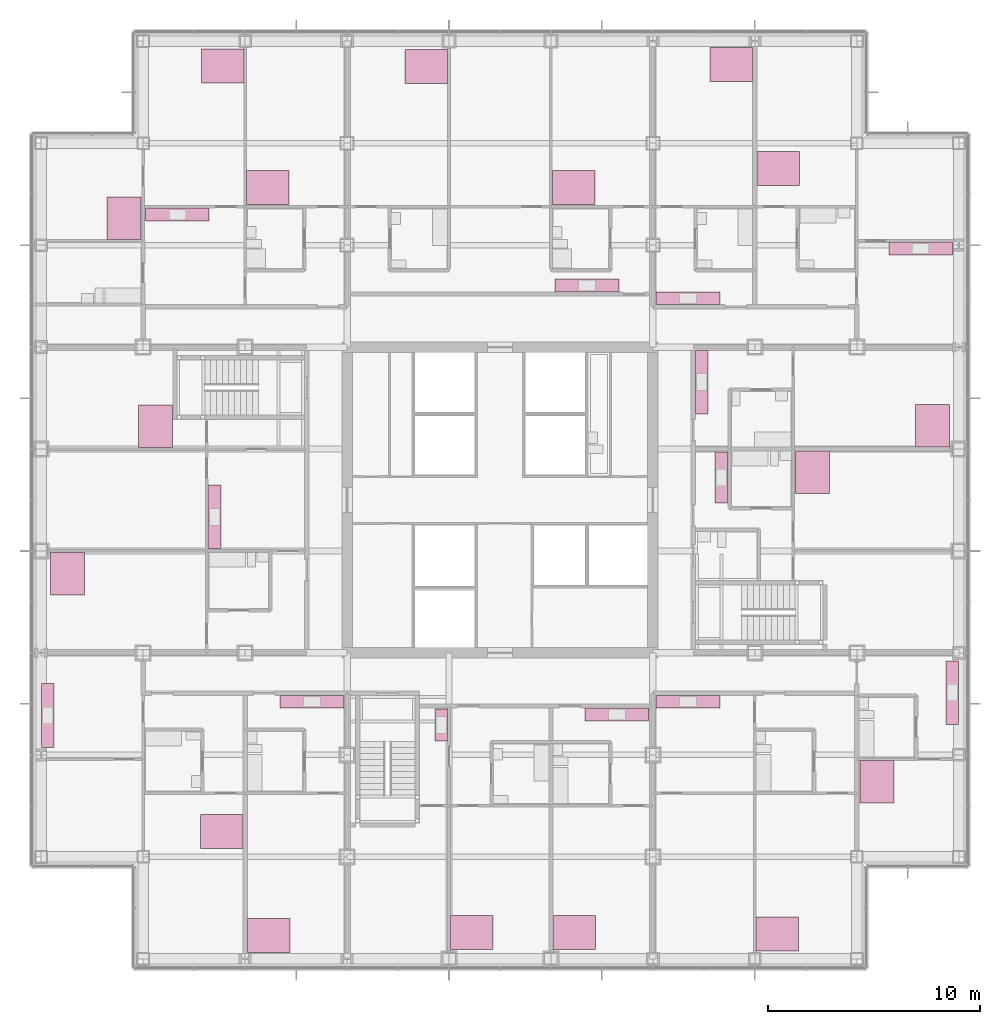
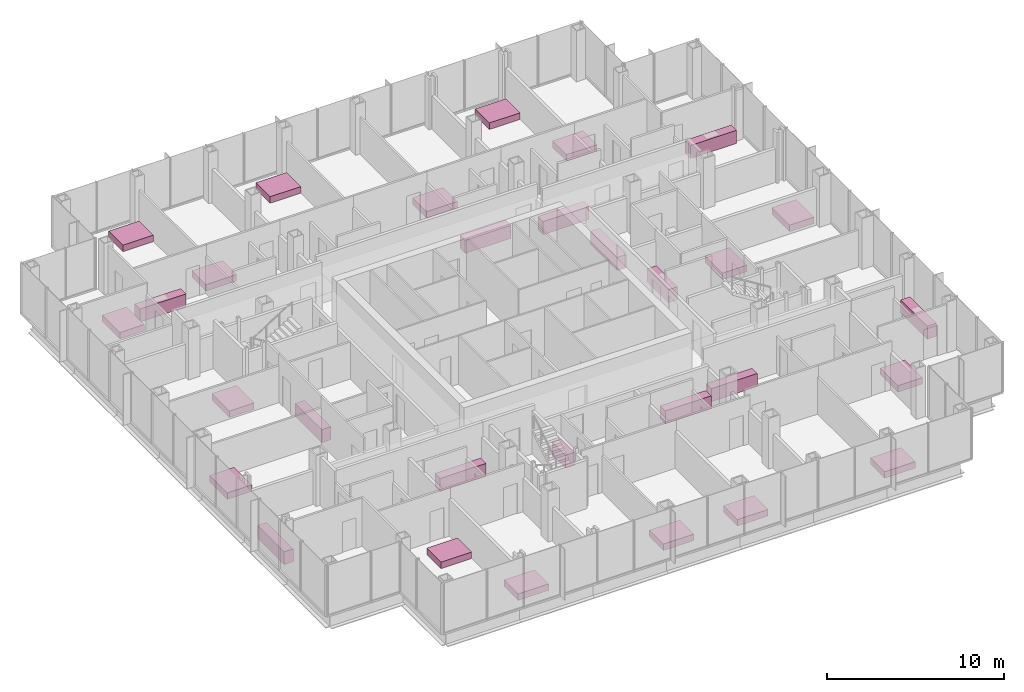
# One storey, part 21 of 21: 30 furniture elements.
"""IFC4 building model written with IfcOpenShell, lengths in metres."""

import ifcopenshell
import ifcopenshell.guid

model = None  # the IFC model being written
_history = None  # IfcOwnerHistory: only IFC2X3 demands one
_inside = {}  # id of a spatial element -> (the spatial element, [elements in it])
_under = {}  # id of a project, library or spatial element -> (it, [spatial elements below it])
_declared = {}  # id of a project -> (the project, [libraries it declares])
_typed = {}  # id of a type object -> (the type object, [elements of that type])
_made_of = {}  # id of a material, layer set ... -> (it, [elements and type objects made of it])


def new_model(schema):
    """Start an empty IFC model of exactly this schema.

    Asked for "IFC4X3", IfcOpenShell would pick the latest addendum, in which some entities
    have other attributes; the version numbers below select the first issue.
    IFC2X3 requires an IfcOwnerHistory on every rooted entity: one is made here for all.
    """
    global model, _history
    if schema == "IFC4X3":
        model = ifcopenshell.file(schema_version=(4, 3, 0, 0))
    else:
        model = ifcopenshell.file(schema=schema)
    _inside.clear()
    _under.clear()
    _declared.clear()
    _typed.clear()
    _made_of.clear()
    _history = None
    if model.schema == "IFC2X3":
        org = make("IfcOrganization", Name="unknown")
        user = make(
            "IfcPersonAndOrganization",
            ThePerson=make("IfcPerson", FamilyName="unknown"),
            TheOrganization=org,
        )
        app = make(
            "IfcApplication",
            ApplicationDeveloper=org,
            Version="unknown",
            ApplicationFullName="unknown",
            ApplicationIdentifier="unknown",
        )
        _history = make(
            "IfcOwnerHistory",
            OwningUser=user,
            OwningApplication=app,
            ChangeAction="ADDED",
            CreationDate=0,
        )
    return model


def make(cls, **values):
    """One entity of the class cls with the attributes given. An attribute that is None is left unset."""
    return model.create_entity(
        cls, **{name: value for name, value in values.items() if value is not None}
    )


def rooted(cls, **values):
    """An entity with a GlobalId (a new one), such as an element, a storey or a relation."""
    return make(cls, GlobalId=ifcopenshell.guid.new(), OwnerHistory=_history, **values)


def si_unit(unit_type, name, prefix=None):
    """IfcSIUnit, for example si_unit("LENGTHUNIT", "METRE", prefix="MILLI")."""
    return make("IfcSIUnit", UnitType=unit_type, Prefix=prefix, Name=name)


def assignment(units):
    """IfcUnitAssignment: the units of a project."""
    return None if units is None else make("IfcUnitAssignment", Units=units)


def point(xyz):
    """IfcCartesianPoint."""
    return None if xyz is None else make("IfcCartesianPoint", Coordinates=xyz)


def direction(xyz):
    """IfcDirection."""
    return None if xyz is None else make("IfcDirection", DirectionRatios=xyz)


def frame(location, z_axis=None, x_axis=None):
    """IfcAxis2Placement3D, a coordinate frame: its origin and axes. An axis left out is left unset."""
    return make(
        "IfcAxis2Placement3D",
        Location=point(location),
        Axis=direction(z_axis),
        RefDirection=direction(x_axis),
    )


def frame_2d(location, x_axis=None):
    """IfcAxis2Placement2D, a coordinate frame in the plane: its origin and x axis."""
    return make(
        "IfcAxis2Placement2D", Location=point(location), RefDirection=direction(x_axis)
    )


def origin():
    """The frame at (0, 0, 0) with its axes left unset."""
    return frame((0.0, 0.0, 0.0))


def origin_2d():
    """The frame at (0, 0) in the plane with its x axis left unset."""
    return frame_2d((0.0, 0.0))


def place(relative_to, where):
    """IfcLocalPlacement: puts the frame where relative to a parent placement (None: the world)."""
    return make(
        "IfcLocalPlacement", PlacementRelTo=relative_to, RelativePlacement=where
    )


def context(
    kind, dimensions, precision=None, world=None, true_north=None, identifier=None
):
    """IfcGeometricRepresentationContext, for example the 3D "Model" context."""
    return make(
        "IfcGeometricRepresentationContext",
        ContextIdentifier=identifier,
        ContextType=kind,
        CoordinateSpaceDimension=dimensions,
        Precision=precision,
        WorldCoordinateSystem=world,
        TrueNorth=true_north,
    )


def subcontext(parent, identifier, kind, view, scale=None):
    """IfcGeometricRepresentationSubContext, for example "Body" below "Model"."""
    return make(
        "IfcGeometricRepresentationSubContext",
        ContextIdentifier=identifier,
        ContextType=kind,
        ParentContext=parent,
        TargetScale=scale,
        TargetView=view,
    )


def project(units=None, contexts=None):
    """IfcProject with its units and contexts."""
    return rooted(
        "IfcProject",
        Name="project",
        RepresentationContexts=contexts,
        UnitsInContext=assignment(units),
    )


def spatial(cls, under=None, at=None, **own):
    """A site, building, storey or space (cls), placed at a placement, below another one or the project."""
    s = rooted(cls, ObjectPlacement=at, **own)
    if under is not None:
        _under.setdefault(under.id(), (under, []))[1].append(s)
    return s


def profile(cls, at=None, kind="AREA", **sizes):
    """A parametric profile (cls). Its sizes go by their IFC names, for example OverallWidth=200.0."""
    return make(cls, ProfileType=kind, Position=at, **sizes)


def rectangle(**sizes):
    """IfcRectangleProfileDef."""
    return profile("IfcRectangleProfileDef", **sizes)


def extrude(swept, where, along, depth):
    """IfcExtrudedAreaSolid: the profile swept, set in the frame where, extruded along a direction by depth."""
    return make(
        "IfcExtrudedAreaSolid",
        SweptArea=swept,
        Position=where,
        ExtrudedDirection=direction(along),
        Depth=depth,
    )


def shape(context_of_items, identifier, shape_type, items):
    """IfcShapeRepresentation: the items that make up one representation, for example the "Body"."""
    return make(
        "IfcShapeRepresentation",
        ContextOfItems=context_of_items,
        RepresentationIdentifier=identifier,
        RepresentationType=shape_type,
        Items=items,
    )


def material(Name=None, Category=None):
    """IfcMaterial."""
    return make("IfcMaterial", Name=Name, Category=Category)


def made_of(thing, what):
    """Note that an element or type object is made of a material, layer set ...; save() writes the relation."""
    if what is not None:
        _made_of.setdefault(what.id(), (what, []))[1].append(thing)
    return thing


def type_object(cls, material=None, **own):
    """A type object (cls), such as IfcWallType, which elements share."""
    return made_of(rooted(cls, **own), material)


def element(
    cls,
    number,
    at=None,
    inside=None,
    cuts=None,
    type_object=None,
    material=None,
    context=None,
    identifier="Body",
    shape_type=None,
    held_by="IfcProductDefinitionShape",
    body=None,
    shapes=None,
    **own,
):
    """One element of the class cls, such as IfcWall. Its Tag is "e" and its number.

    at: its placement. inside: the storey or other place that contains it. cuts: it is an
    opening in that element (IfcRelVoidsElement). A single representation is given by context,
    identifier, shape_type and body (its items); several are given by shapes. held_by: the class
    of the entity that holds the representations. save() writes the other relations.
    """
    e = rooted(cls, Tag="e%d" % number, ObjectPlacement=at, **own)
    if body is not None:
        shapes = [shape(context, identifier, shape_type, body)]
    if shapes is not None:
        e.Representation = make(held_by, Representations=shapes)
    if inside is not None:
        _inside.setdefault(inside.id(), (inside, []))[1].append(e)
    if cuts is not None:
        rooted(
            "IfcRelVoidsElement", RelatingBuildingElement=cuts, RelatedOpeningElement=e
        )
    if type_object is not None:
        _typed.setdefault(type_object.id(), (type_object, []))[1].append(e)
    return made_of(e, material)


def aggregate(whole, parts):
    """IfcRelAggregates: a whole, such as a stair, and the parts it consists of."""
    return rooted("IfcRelAggregates", RelatingObject=whole, RelatedObjects=parts)


def save(model, path):
    """Write the relations noted so far, then the file.

    IfcRelAggregates (storeys below a building ...), IfcRelContainedInSpatialStructure (elements
    in a storey), IfcRelDefinesByType, IfcRelAssociatesMaterial and IfcRelDeclares: one each for
    every whole, place, type object, material and project.
    """
    for whole, parts in _under.values():
        aggregate(whole, parts)
    for where, things in _inside.values():
        rooted(
            "IfcRelContainedInSpatialStructure",
            RelatedElements=things,
            RelatingStructure=where,
        )
    for kind, things in _typed.values():
        rooted("IfcRelDefinesByType", RelatedObjects=things, RelatingType=kind)
    for what, things in _made_of.values():
        rooted("IfcRelAssociatesMaterial", RelatedObjects=things, RelatingMaterial=what)
    for by, libraries in _declared.values():
        rooted("IfcRelDeclares", RelatingContext=by, RelatedDefinitions=libraries)
    model.write(path)


model = new_model("IFC4")

# Units and contexts
model_context = context("Model", 3, precision=1e-05, world=origin(), true_north=direction((0.0, 1.0)))
body_context = subcontext(model_context, "Body", "Model", "MODEL_VIEW")
ifc_project = project(units=[si_unit("LENGTHUNIT", "METRE"), si_unit("AREAUNIT", "SQUARE_METRE"), si_unit("VOLUMEUNIT", "CUBIC_METRE"), si_unit("PLANEANGLEUNIT", "RADIAN"), si_unit("MASSUNIT", "GRAM", prefix="KILO")], contexts=[model_context])

# Site, building, storey
site_placement = place(None, origin())
site = spatial("IfcSite", under=ifc_project, at=site_placement, CompositionType="ELEMENT")
building_placement = place(site_placement, origin())
building = spatial("IfcBuilding", under=site, at=building_placement, Name="Kvirike Care Tower", CompositionType="ELEMENT")
storey_placement = place(building_placement, frame((0.0, 0.0, 41.0)))
storey = spatial("IfcBuildingStorey", under=building, at=storey_placement, Name="L10", CompositionType="ELEMENT", Elevation=41.0)

# Furniture
ifc_material_1 = material(Name="Timber", Category="wood")
furniture_type_1 = type_object("IfcFurnitureType", Name="DOUBLE BED 1600 x 2000", AssemblyPlace="FACTORY", PredefinedType="BED", material=ifc_material_1)
for number, where, z_axis, x_axis, name in (
    (1, (8.498046875, 20.389892578125, 0.0), (0.0, 0.0, 1.0), (0.0, -1.0, 0.0), "Double bed L10-003"),
    (2, (10.701904296875, 15.4970703125, 0.0), (0.0, 0.0, 1.0), (0.0, 1.0, 0.0), "Double bed L10-007"),
    (3, (5.389892578125, 39.4619140625, 0.0), (0.0, 0.0, 1.0), (-1.0, 0.0, 0.0), "Double bed L10-012"),
    (4, (1.2451171875, 32.5380859375, 0.0), (0.0, 0.0, 1.0), (1.0, 0.0, 0.0), "Double bed L10-014"),
    (5, (10.662109375, 50.7099609375, 0.0), (0.0, 0.0, 1.0), (0.0, 1.0, 0.0), "Double bed L10-020"),
    (6, (8.5380859375, 56.429931640625, 0.0), (0.0, 0.0, 1.0), (0.0, -1.0, 0.0), "Double bed L10-021"),
    (7, (3.889892578125, 49.261962890625, 0.0), (0.0, 0.0, 1.0), (-1.0, 0.0, 0.0), "Double bed L10-022"),
    (8, (20.261962890625, 15.64501953125, 0.0), (0.0, 0.0, 1.0), (0.0, 1.0, 0.0), "Double bed L10-030"),
    (9, (25.10205078125, 15.64501953125, 0.0), (0.0, 0.0, 1.0), (0.0, 1.0, 0.0), "Double bed L10-034"),
    (10, (25.06201171875, 50.7099609375, 0.0), (0.0, 0.0, 1.0), (0.0, 1.0, 0.0), "Double bed L10-038"),
    (11, (18.137939453125, 56.405029296875, 0.0), (0.0, 0.0, 1.0), (0.0, -1.0, 0.0), "Double bed L10-040"),
    (12, (34.662109375, 15.570068359375, 0.0), (0.0, 0.0, 1.0), (0.0, 1.0, 0.0), "Double bed L10-046"),
    (13, (39.35009765625, 22.738037109375, 0.0), (0.0, 0.0, 1.0), (1.0, 0.0, 0.0), "Double bed L10-050"),
    (14, (36.31005859375, 37.298095703125, 0.0), (0.0, 0.0, 1.0), (1.0, 0.0, 0.0), "Double bed L10-056"),
    (15, (41.955078125, 39.501953125, 0.0), (0.0, 0.0, 1.0), (-1.0, 0.0, 0.0), "Double bed L10-060"),
    (16, (34.701904296875, 51.610107421875, 0.0), (0.0, 0.0, 1.0), (0.0, 1.0, 0.0), "Double bed L10-065"),
    (17, (32.498046875, 56.5029296875, 0.0), (0.0, 0.0, 1.0), (0.0, -1.0, 0.0), "Double bed L10-069"),
):
    element("IfcFurniture", number, at=place(storey_placement, frame(where, z_axis=z_axis, x_axis=x_axis)), inside=storey, type_object=furniture_type_1, Name=name, PredefinedType="BED", context=body_context, shape_type="SweptSolid", body=[
        extrude(rectangle(XDim=1.60009765625, YDim=2.0, at=origin_2d()), origin(), (0.0, 0.0, 1.0), 0.449951171875),
    ])
ifc_material_2 = material(Name="Laminated board", Category="wood")
furniture_type_2 = type_object("IfcFurnitureType", Name="KITCHEN UNIT RUN 600", AssemblyPlace="FACTORY", PredefinedType="USERDEFINED", material=ifc_material_2)
for number, where, z_axis, x_axis, name in (
    (18, (0.302001953125, 25.8544921875, 0.0), (0.0, 0.0, 1.0), (0.0, 1.0, 0.0), "Kitchen unit run L10-005"),
    (19, (12.75, 26.498046875, 0.0), (0.0, 0.0, 1.0), (1.0, 0.0, 0.0), "Kitchen unit run L10-009"),
    (20, (8.162109375, 35.2099609375, 0.0), (0.0, 0.0, 1.0), (0.0, 1.0, 0.0), "Kitchen unit run L10-017"),
    (21, (6.409912109375, 49.43798828125, 0.0), (0.0, 0.0, 1.0), (1.0, 0.0, 0.0), "Kitchen unit run L10-026"),
):
    element("IfcFurniture", number, at=place(storey_placement, frame(where, z_axis=z_axis, x_axis=x_axis)), inside=storey, type_object=furniture_type_2, Name=name, ObjectType="KITCHEN UNIT", PredefinedType="USERDEFINED", context=body_context, shape_type="SweptSolid", body=[
        extrude(rectangle(XDim=3.0, YDim=0.60009765625, at=origin_2d()), origin(), (0.0, 0.0, 1.0), 0.89990234375),
    ])
furniture_1_placement = place(storey_placement, frame((18.837890625, 25.39990234375, 0.0), z_axis=(0.0, 0.0, 1.0), x_axis=(0.0, -1.0, 0.0)))
element("IfcFurniture", 22, at=furniture_1_placement, inside=storey, type_object=furniture_type_2, Name="Kitchen unit run L10-032", ObjectType="KITCHEN UNIT", PredefinedType="USERDEFINED", context=body_context, shape_type="SweptSolid", body=[
    extrude(rectangle(XDim=1.5, YDim=0.60009765625, at=origin_2d()), origin(), (0.0, 0.0, 1.0), 0.89990234375),
])
for number, where, z_axis, x_axis, name in (
    (23, (27.10009765625, 25.89794921875, 0.0), (0.0, 0.0, 1.0), (1.0, 0.0, 0.0), "Kitchen unit run L10-036"),
    (24, (25.699951171875, 46.10205078125, 0.0), (0.0, 0.0, 1.0), (-1.0, 0.0, 0.0), "Kitchen unit run L10-043"),
    (25, (30.449951171875, 26.498046875, 0.0), (0.0, 0.0, 1.0), (1.0, 0.0, 0.0), "Kitchen unit run L10-048"),
    (26, (42.89794921875, 26.929931640625, 0.0), (0.0, 0.0, 1.0), (0.0, -1.0, 0.0), "Kitchen unit run L10-052"),
):
    element("IfcFurniture", number, at=place(storey_placement, frame(where, z_axis=z_axis, x_axis=x_axis)), inside=storey, type_object=furniture_type_2, Name=name, ObjectType="KITCHEN UNIT", PredefinedType="USERDEFINED", context=body_context, shape_type="SweptSolid", body=[
        extrude(rectangle(XDim=3.0, YDim=0.60009765625, at=origin_2d()), origin(), (0.0, 0.0, 1.0), 0.89990234375),
    ])
furniture_2_placement = place(storey_placement, frame((32.02294921875, 37.050048828125, 0.0), z_axis=(0.0, 0.0, 1.0), x_axis=(0.0, -1.0, 0.0)))
element("IfcFurniture", 27, at=furniture_2_placement, inside=storey, type_object=furniture_type_2, Name="Kitchen unit run L10-059", ObjectType="KITCHEN UNIT", PredefinedType="USERDEFINED", context=body_context, shape_type="SweptSolid", body=[
    extrude(rectangle(XDim=2.39990234375, YDim=0.60009765625, at=origin_2d()), origin(), (0.0, 0.0, 1.0), 0.89990234375),
])
for number, where, z_axis, x_axis, name in (
    (28, (31.10205078125, 41.550048828125, 0.0), (0.0, 0.0, 1.0), (0.0, 1.0, 0.0), "Kitchen unit run L10-062"),
    (29, (41.409912109375, 47.837890625, 0.0), (0.0, 0.0, 1.0), (1.0, 0.0, 0.0), "Kitchen unit run L10-067"),
    (30, (30.449951171875, 45.501953125, 0.0), (0.0, 0.0, 1.0), (-1.0, 0.0, 0.0), "Kitchen unit run L10-071"),
):
    element("IfcFurniture", number, at=place(storey_placement, frame(where, z_axis=z_axis, x_axis=x_axis)), inside=storey, type_object=furniture_type_2, Name=name, ObjectType="KITCHEN UNIT", PredefinedType="USERDEFINED", context=body_context, shape_type="SweptSolid", body=[
        extrude(rectangle(XDim=3.0, YDim=0.60009765625, at=origin_2d()), origin(), (0.0, 0.0, 1.0), 0.89990234375),
    ])

save(model, "model.ifc")
